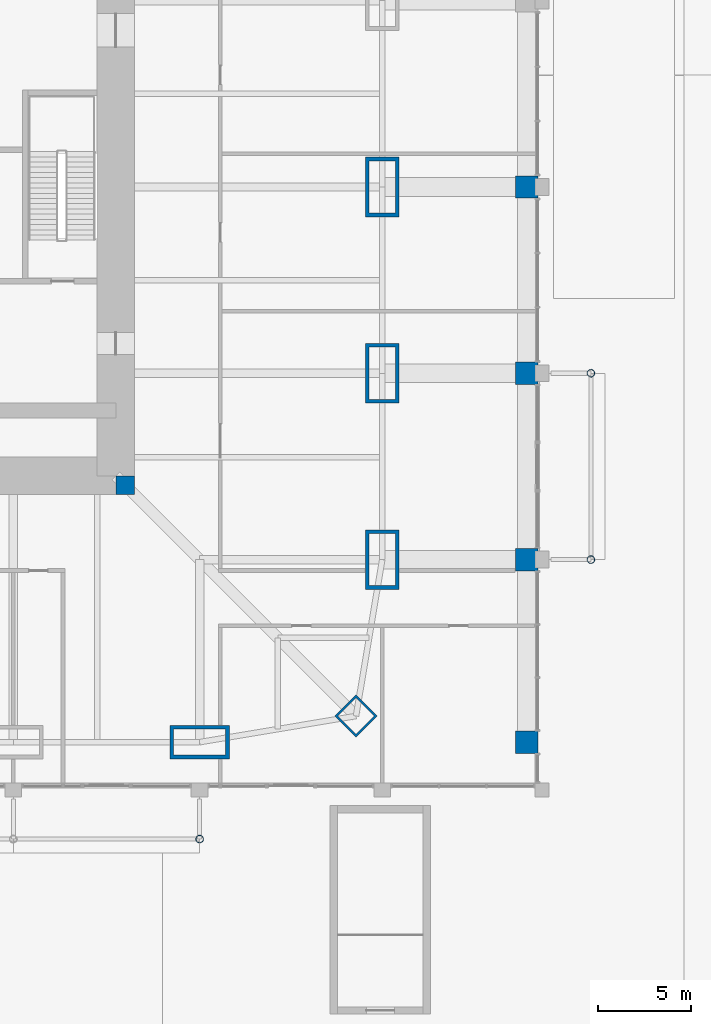
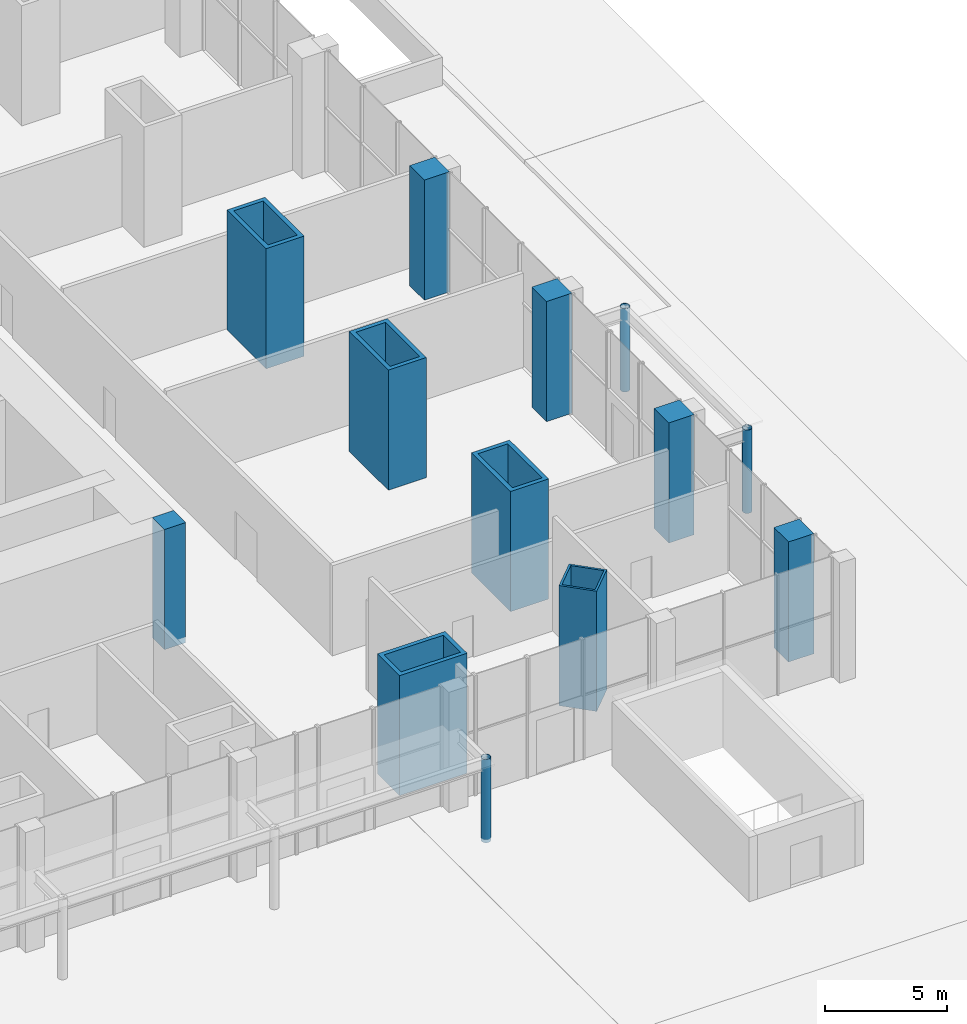
# One storey, part 4 of 31: 13 columns.
"""IFC4 building model written with IfcOpenShell, lengths in metres."""

from ifc_helpers import new_model, si_unit, direction, frame, origin, origin_2d, place, context, subcontext, project, spatial, rectangle, hollow_rectangle, hollow_circle, extrude, material, material_profile, profile_set, type_object, element, save


model = new_model("IFC4")

# Units and contexts
model_context = context("Model", 3, precision=1e-05, world=origin(), true_north=direction((0.0, 1.0)))
body_context = subcontext(model_context, "Body", "Model", "MODEL_VIEW")
ifc_project = project(units=[si_unit("LENGTHUNIT", "METRE"), si_unit("AREAUNIT", "SQUARE_METRE"), si_unit("VOLUMEUNIT", "CUBIC_METRE"), si_unit("PLANEANGLEUNIT", "RADIAN"), si_unit("MASSUNIT", "GRAM", prefix="KILO")], contexts=[model_context])

# Site, building, storey
site_placement = place(None, origin())
site = spatial("IfcSite", under=ifc_project, at=site_placement, CompositionType="ELEMENT")
building_placement = place(site_placement, origin())
building = spatial("IfcBuilding", under=site, at=building_placement, Name="Khuree Lantern Residences", CompositionType="ELEMENT")
storey_placement = place(building_placement, origin())
storey = spatial("IfcBuildingStorey", under=building, at=storey_placement, Name="L00", CompositionType="ELEMENT", Elevation=0.0)

# Columns
ifc_material_1 = material(Name="Steel S355 CFT welded box", Category="steel")
ifc_material_profile_1 = material_profile(ifc_material_1, hollow_rectangle(XDim=1.60009765625, YDim=1.60009765625, WallThickness=0.10009765625, at=origin_2d()), Name="WELDED BOX 1600X1600X100")
ifc_profile_set_1 = profile_set([ifc_material_profile_1], Name="Steel S355 CFT welded box")
column_type_1 = type_object("IfcColumnType", Name="CC1600 PERIMETER CORNER MEGA COLUMN WELDED BOX 1600X1600X100", PredefinedType="COLUMN", material=ifc_profile_set_1)
column_1_placement = place(storey_placement, frame((28.39404296875, -28.39404296875, 0.0), z_axis=(0.0, 0.0, 1.0), x_axis=(0.707106781187, 0.707106781187, 0.0)))
element("IfcColumn", 1, at=column_1_placement, inside=storey, type_object=column_type_1, Name="Perimeter column SE", PredefinedType="COLUMN", context=body_context, shape_type="SweptSolid", body=[
    extrude(hollow_rectangle(XDim=1.60009765625, YDim=1.60009765625, WallThickness=0.10009765625, at=origin_2d()), origin(), (0.0, 0.0, 1.0), 6.0),
])
ifc_material_2 = material(Name="Steel S355", Category="steel")
ifc_material_profile_2 = material_profile(ifc_material_2, hollow_circle(Radius=0.203125, WallThickness=0.012451171875, at=origin_2d()), Name="CHS 406.4X12.5")
ifc_profile_set_2 = profile_set([ifc_material_profile_2], Name="Steel S355")
column_type_2 = type_object("IfcColumnType", Name="CP1 CANOPY POST CHS 406.4X12.5", PredefinedType="COLUMN", material=ifc_profile_set_2)
for number, where, z_axis, x_axis, name in (
    (2, (20.0, -35.0, -0.159912109375), (0.0, 0.0, 1.0), (1.0, 0.0, 0.0), "SOUTH FACE CANOPY POST 4"),
    (3, (41.0, -20.0, -0.159912109375), (0.0, 0.0, 1.0), (1.0, 0.0, 0.0), "EAST FACE CANOPY POST 1"),
    (4, (41.0, -10.0, -0.159912109375), (0.0, 0.0, 1.0), (1.0, 0.0, 0.0), "EAST FACE CANOPY POST 2"),
):
    element("IfcColumn", number, at=place(storey_placement, frame(where, z_axis=z_axis, x_axis=x_axis)), inside=storey, type_object=column_type_2, Name=name, PredefinedType="COLUMN", context=body_context, shape_type="SweptSolid", body=[
        extrude(hollow_circle(Radius=0.203125, WallThickness=0.012451171875, at=origin_2d()), origin(), (0.0, 0.0, 1.0), 4.159912109375),
    ])
ifc_material_3 = material(Name="Concrete C70/85", Category="concrete")
ifc_material_profile_3 = material_profile(ifc_material_3, rectangle(XDim=1.0, YDim=1.0, at=origin_2d()), Name="RC 1000X1000")
ifc_profile_set_3 = profile_set([ifc_material_profile_3], Name="Concrete C70/85")
column_type_3 = type_object("IfcColumnType", Name="CP1000-C70 CORE CORNER PIER C70 RC 1000X1000", PredefinedType="COLUMN", material=ifc_profile_set_3)
column_2_placement = place(storey_placement, frame((16.0, -16.0, -0.300048828125), z_axis=(0.0, 0.0, 1.0), x_axis=(1.0, 0.0, 0.0)))
element("IfcColumn", 5, at=column_2_placement, inside=storey, type_object=column_type_3, Name="Core corner pier SE", PredefinedType="COLUMN", context=body_context, shape_type="SweptSolid", body=[
    extrude(rectangle(XDim=1.0, YDim=1.0, at=origin_2d()), origin(), (0.0, 0.0, 1.0), 6.0),
])
ifc_material_profile_4 = material_profile(ifc_material_3, rectangle(XDim=1.199951171875, YDim=1.199951171875, at=origin_2d()), Name="RC 1200X1200")
ifc_profile_set_4 = profile_set([ifc_material_profile_4], Name="Concrete C70/85")
column_type_4 = type_object("IfcColumnType", Name="GC1 PODIUM COLUMN RC 1200X1200", PredefinedType="COLUMN", material=ifc_profile_set_4)
for number, where, z_axis, x_axis, name in (
    (6, (37.550048828125, -29.800048828125, 0.0), (0.0, 0.0, 1.0), (1.0, 0.0, 0.0), "Column GC-18"),
    (7, (37.550048828125, -20.0, 0.0), (0.0, 0.0, 1.0), (1.0, 0.0, 0.0), "Column GC-20"),
    (8, (37.550048828125, -10.0, 0.0), (0.0, 0.0, 1.0), (1.0, 0.0, 0.0), "Column GC-22"),
    (9, (37.550048828125, 0.0, 0.0), (0.0, 0.0, 1.0), (1.0, 0.0, 0.0), "Column GC-24"),
):
    element("IfcColumn", number, at=place(storey_placement, frame(where, z_axis=z_axis, x_axis=x_axis)), inside=storey, type_object=column_type_4, Name=name, PredefinedType="COLUMN", context=body_context, shape_type="SweptSolid", body=[
        extrude(rectangle(XDim=1.199951171875, YDim=1.199951171875, at=origin_2d()), origin(), (0.0, 0.0, 1.0), 6.0),
    ])
ifc_material_profile_5 = material_profile(ifc_material_1, hollow_rectangle(XDim=3.199951171875, YDim=1.800048828125, WallThickness=0.199951171875, at=origin_2d()), Name="WELDED BOX 3200X1800X200")
ifc_profile_set_5 = profile_set([ifc_material_profile_5], Name="Steel S355 CFT welded box")
column_type_5 = type_object("IfcColumnType", Name="SC1 PERIMETER MEGA COLUMN WELDED BOX 3200X1800X200", PredefinedType="COLUMN", material=ifc_profile_set_5)
for number, where, z_axis, x_axis, name in (
    (10, (29.800048828125, 0.0, 0.0), (0.0, 0.0, 1.0), (0.0, 1.0, 0.0), "Perimeter column E3"),
    (11, (29.800048828125, -10.0, 0.0), (0.0, 0.0, 1.0), (0.0, 1.0, 0.0), "Perimeter column E4"),
    (12, (29.800048828125, -20.0, 0.0), (0.0, 0.0, 1.0), (0.0, 1.0, 0.0), "Perimeter column E5"),
    (13, (20.0, -29.800048828125, 0.0), (0.0, 0.0, 1.0), (1.0, 0.0, 0.0), "Perimeter column S1"),
):
    element("IfcColumn", number, at=place(storey_placement, frame(where, z_axis=z_axis, x_axis=x_axis)), inside=storey, type_object=column_type_5, Name=name, PredefinedType="COLUMN", context=body_context, shape_type="SweptSolid", body=[
        extrude(hollow_rectangle(XDim=3.199951171875, YDim=1.800048828125, WallThickness=0.199951171875, at=origin_2d()), origin(), (0.0, 0.0, 1.0), 6.0),
    ])

save(model, "model.ifc")
